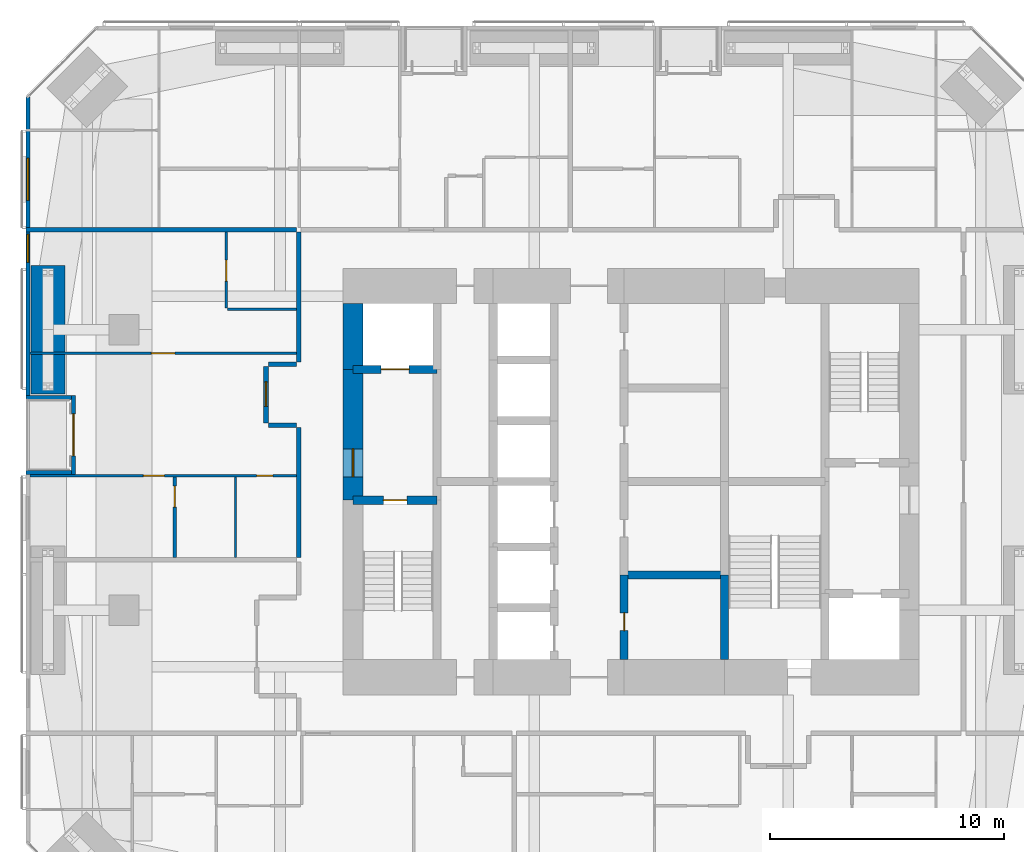
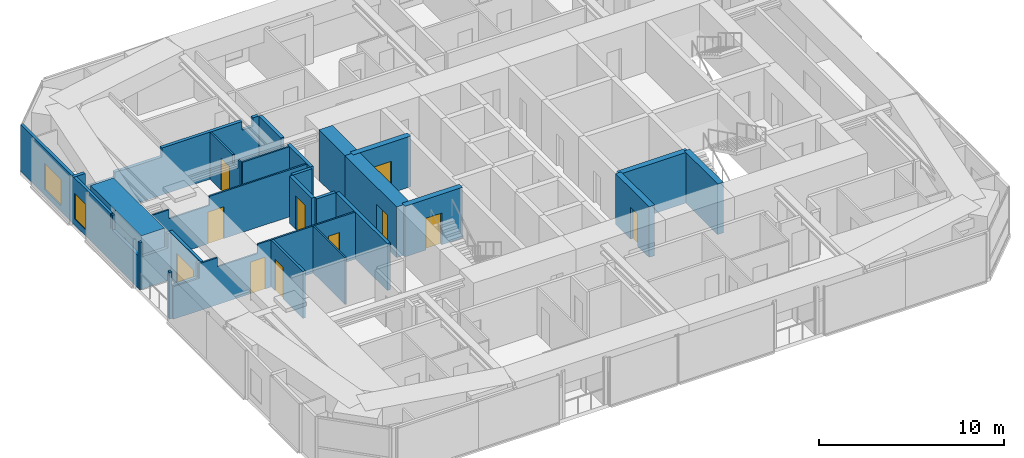
# One storey, part 19 of 24: 24 walls, 11 doors, 2 windows, 13 openings.
"""IFC4 building model written with IfcOpenShell, lengths in metres."""

from ifc_helpers import new_model, si_unit, direction, frame, frame_2d, origin, place, context, subcontext, project, spatial, polyline, rectangle, outline, extrude, material, layer, layer_set, constituent, constituent_set, type_object, element, fill, save


model = new_model("IFC4")

# Units and contexts
model_context = context("Model", 3, precision=1e-05, world=origin(), true_north=direction((0.0, 1.0)))
body_context = subcontext(model_context, "Body", "Model", "MODEL_VIEW")
ifc_project = project(units=[si_unit("LENGTHUNIT", "METRE"), si_unit("AREAUNIT", "SQUARE_METRE"), si_unit("VOLUMEUNIT", "CUBIC_METRE"), si_unit("PLANEANGLEUNIT", "RADIAN"), si_unit("MASSUNIT", "GRAM", prefix="KILO")], contexts=[model_context])

# Site, building, storey
site_placement = place(None, origin())
site = spatial("IfcSite", under=ifc_project, at=site_placement, CompositionType="ELEMENT")
building_placement = place(site_placement, origin())
building = spatial("IfcBuilding", under=site, at=building_placement, Name="Jalousie Tower", CompositionType="ELEMENT")
storey_placement = place(building_placement, frame((0.0, 0.0, 128.300048828125)))
storey = spatial("IfcBuildingStorey", under=building, at=storey_placement, Name="L35", CompositionType="ELEMENT", Elevation=128.300048828125)

# Wall, opening, door
ifc_material_1 = material(Name="Concrete block ASTM C90", Category="concrete")
ifc_constituent_1 = constituent(ifc_material_1, Name="Body")
ifc_material_2 = material(Name="Render")
ifc_constituent_2 = constituent(ifc_material_2, Name="Finish")
ifc_constituent_set_1 = constituent_set(constituents=[ifc_constituent_1, ifc_constituent_2])
wall_type_1 = type_object("IfcWallType", Name="BATHROOM WALL 150", PredefinedType="PLUMBINGWALL", material=ifc_constituent_set_1)
wall_1_placement = place(storey_placement, frame((12.375, 15.25, 0.0), z_axis=(0.0, 0.0, 1.0), x_axis=(0.0, 1.0, 0.0)))
wall_1 = element("IfcWall", 1, at=wall_1_placement, inside=storey, type_object=wall_type_1, Name="Bathroom Wall 150 L35", PredefinedType="PLUMBINGWALL", context=body_context, shape_type="SweptSolid", body=[
    extrude(rectangle(XDim=3.449951171875, YDim=0.14990234375, at=frame_2d((1.72509765625, 0.0))), origin(), (0.0, 0.0, 1.0), 3.10986328125),
])
opening_1_placement = place(wall_1_placement, frame((2.14990234375, 0.0, 0.0)))
opening_1 = element("IfcOpeningElement", 2, at=opening_1_placement, cuts=wall_1, Name="Opening D3", PredefinedType="OPENING", context=body_context, shape_type="SweptSolid", body=[
    extrude(rectangle(XDim=0.89990234375, YDim=2.10009765625, at=frame_2d((0.449951171875, 1.050048828125))), frame((0.0, 0.0849609375, 0.0), z_axis=(0.0, -1.0, 0.0), x_axis=(1.0, 0.0, 0.0)), (0.0, 0.0, 1.0), 0.169921875),
])
ifc_material_3 = material(Name="Timber door", Category="wood")
door_type_1 = type_object("IfcDoorType", Name="BATHROOM DOOR 900", OperationType="SINGLE_SWING_LEFT", PredefinedType="DOOR", material=ifc_material_3)
door_1_placement = place(opening_1_placement, frame((0.89990234375, 0.0, 0.0), z_axis=(0.0, 0.0, 1.0), x_axis=(-1.0, 0.0, 0.0)))
door_1 = element("IfcDoor", 3, at=door_1_placement, inside=storey, type_object=door_type_1, Name="Apartment 3505 bedroom 1 bathroom door", OperationType="SINGLE_SWING_LEFT", OverallHeight=2.10009765625, OverallWidth=0.89990234375, PredefinedType="DOOR", context=body_context, shape_type="SweptSolid", body=[
    extrude(rectangle(XDim=0.89990234375, YDim=2.10009765625, at=frame_2d((0.449951171875, 1.050048828125))), frame((0.0, 0.02490234375, 0.0), z_axis=(0.0, -1.0, 0.0), x_axis=(1.0, 0.0, 0.0)), (0.0, 0.0, 1.0), 0.050048828125),
])
fill(opening_1, door_1)

ifc_material_4 = material(Name="Concrete f'c 120 MPa", Category="concrete")
ifc_layer_1 = layer(ifc_material_4, 0.35009765625)
ifc_layer_set_1 = layer_set([ifc_layer_1], Name="Concrete f'c 120 MPa")
wall_type_2 = type_object("IfcWallType", Name="CORE WALL 350", PredefinedType="SHEAR", material=ifc_layer_set_1)
wall_2_placement = place(storey_placement, frame((31.60009765625, 10.875, 0.0), z_axis=(0.0, 0.0, 1.0), x_axis=(0.0, 1.0, 0.0)))
wall_2 = element("IfcWall", 4, at=wall_2_placement, inside=storey, type_object=wall_type_2, Name="Core wall X31.6A L35", PredefinedType="SHEAR", context=body_context, shape_type="SweptSolid", body=[
    extrude(rectangle(XDim=3.625, YDim=0.35009765625, at=frame_2d((1.8125, 0.0))), origin(), (0.0, 0.0, 1.0), 3.349853515625),
])
opening_2_placement = place(wall_2_placement, frame((1.25, 0.0, 0.0)))
opening_2 = element("IfcOpeningElement", 5, at=opening_2_placement, cuts=wall_2, Name="Opening D16", PredefinedType="OPENING", context=body_context, shape_type="SweptSolid", body=[
    extrude(rectangle(XDim=0.75, YDim=2.10009765625, at=frame_2d((0.375, 1.050048828125))), frame((0.0, 0.18505859375, 0.0), z_axis=(0.0, -1.0, 0.0), x_axis=(1.0, 0.0, 0.0)), (0.0, 0.0, 1.0), 0.3701171875),
])
ifc_material_5 = material(Name="Steel fire door", Category="steel")
door_type_2 = type_object("IfcDoorType", Name="RISER DOOR 750", OperationType="SINGLE_SWING_LEFT", PredefinedType="DOOR", material=ifc_material_5)
door_2_placement = place(opening_2_placement, frame((0.75, 0.0, 0.0), z_axis=(0.0, 0.0, 1.0), x_axis=(-1.0, 0.0, 0.0)))
door_2 = element("IfcDoor", 6, at=door_2_placement, inside=storey, type_object=door_type_2, Name="Refuse Room door", OperationType="SINGLE_SWING_RIGHT", OverallHeight=2.10009765625, OverallWidth=0.75, PredefinedType="DOOR", context=body_context, shape_type="SweptSolid", body=[
    extrude(rectangle(XDim=0.75, YDim=2.10009765625, at=frame_2d((0.375, 1.050048828125))), frame((0.0, 0.02490234375, 0.0), z_axis=(0.0, -1.0, 0.0), x_axis=(1.0, 0.0, 0.0)), (0.0, 0.0, 1.0), 0.050048828125),
])
fill(opening_2, door_2)

# Wall
wall_3_placement = place(storey_placement, frame((35.89990234375, 10.875, 0.0), z_axis=(0.0, 0.0, 1.0), x_axis=(0.0, 1.0, 0.0)))
element("IfcWall", 7, at=wall_3_placement, inside=storey, type_object=wall_type_2, Name="Core wall X35.9A L35", PredefinedType="SHEAR", context=body_context, shape_type="SweptSolid", body=[
    extrude(rectangle(XDim=3.625, YDim=0.35009765625, at=frame_2d((1.8125, 0.0))), origin(), (0.0, 0.0, 1.0), 3.349853515625),
])

# Wall, opening, door
wall_4_placement = place(storey_placement, frame((20.0, 17.699951171875, 0.0), z_axis=(0.0, 0.0, 1.0), x_axis=(1.0, 0.0, 0.0)))
wall_4 = element("IfcWall", 8, at=wall_4_placement, inside=storey, type_object=wall_type_2, Name="Core wall Y20-17.7 L35", PredefinedType="SHEAR", context=body_context, shape_type="SweptSolid", body=[
    extrude(rectangle(XDim=3.60009765625, YDim=0.35009765625, at=frame_2d((1.800048828125, 0.0))), origin(), (0.0, 0.0, 1.0), 3.349853515625),
])
opening_3_placement = place(wall_4_placement, frame((1.300048828125, 0.0, 0.0)))
opening_3 = element("IfcOpeningElement", 9, at=opening_3_placement, cuts=wall_4, Name="Opening D10", PredefinedType="OPENING", context=body_context, shape_type="SweptSolid", body=[
    extrude(rectangle(XDim=1.0, YDim=2.10009765625, at=frame_2d((0.5, 1.050048828125))), frame((0.0, 0.18505859375, 0.0), z_axis=(0.0, -1.0, 0.0), x_axis=(1.0, 0.0, 0.0)), (0.0, 0.0, 1.0), 0.3701171875),
])
ifc_material_6 = material(Name="Steel fire door", Category="steel")
door_type_3 = type_object("IfcDoorType", Name="STAIR DOOR 1000", OperationType="SINGLE_SWING_LEFT", PredefinedType="DOOR", material=ifc_material_6)
door_3_placement = place(opening_3_placement, frame((1.0, 0.0, 0.0), z_axis=(0.0, 0.0, 1.0), x_axis=(-1.0, 0.0, 0.0)))
door_3 = element("IfcDoor", 10, at=door_3_placement, inside=storey, type_object=door_type_3, Name="Exit stair A door", OperationType="SINGLE_SWING_RIGHT", OverallHeight=2.10009765625, OverallWidth=1.0, PredefinedType="DOOR", context=body_context, shape_type="SweptSolid", body=[
    extrude(rectangle(XDim=1.0, YDim=2.10009765625, at=frame_2d((0.5, 1.050048828125))), frame((0.0, 0.02490234375, 0.0), z_axis=(0.0, -1.0, 0.0), x_axis=(1.0, 0.0, 0.0)), (0.0, 0.0, 1.0), 0.050048828125),
])
fill(opening_3, door_3)

wall_5_placement = place(storey_placement, frame((20.0, 23.300048828125, 0.0), z_axis=(0.0, 0.0, 1.0), x_axis=(1.0, 0.0, 0.0)))
wall_5 = element("IfcWall", 11, at=wall_5_placement, inside=storey, type_object=wall_type_2, Name="Core wall Y20-23.3 L35", PredefinedType="SHEAR", context=body_context, shape_type="SweptSolid", body=[
    extrude(rectangle(XDim=3.60009765625, YDim=0.35009765625, at=frame_2d((1.800048828125, 0.0))), origin(), (0.0, 0.0, 1.0), 3.349853515625),
])
opening_4_placement = place(wall_5_placement, frame((1.199951171875, 0.0, 0.0)))
opening_4 = element("IfcOpeningElement", 12, at=opening_4_placement, cuts=wall_5, Name="Opening LD2", PredefinedType="OPENING", context=body_context, shape_type="SweptSolid", body=[
    extrude(rectangle(XDim=1.199951171875, YDim=2.10009765625, at=frame_2d((0.60009765625, 1.050048828125))), frame((0.0, 0.18505859375, 0.0), z_axis=(0.0, -1.0, 0.0), x_axis=(1.0, 0.0, 0.0)), (0.0, 0.0, 1.0), 0.3701171875),
])
ifc_material_7 = material(Name="Steel lift landing door", Category="steel")
door_type_4 = type_object("IfcDoorType", Name="LIFT LANDING DOOR 1200", OperationType="SLIDING_TO_LEFT", PredefinedType="DOOR", material=ifc_material_7)
door_4_placement = place(opening_4_placement, origin())
door_4 = element("IfcDoor", 13, at=door_4_placement, inside=storey, type_object=door_type_4, Name="Lift F1 landing door", OperationType="SLIDING_TO_LEFT", OverallHeight=2.10009765625, OverallWidth=1.199951171875, PredefinedType="DOOR", context=body_context, shape_type="SweptSolid", body=[
    extrude(rectangle(XDim=1.199951171875, YDim=2.10009765625, at=frame_2d((0.60009765625, 1.050048828125))), frame((0.0, 0.02490234375, 0.0), z_axis=(0.0, -1.0, 0.0), x_axis=(1.0, 0.0, 0.0)), (0.0, 0.0, 1.0), 0.050048828125),
])
fill(opening_4, door_4)

# Walls
wall_6_placement = place(storey_placement, frame((31.60009765625, 14.5, 0.0), z_axis=(0.0, 0.0, 1.0), x_axis=(1.0, 0.0, 0.0)))
element("IfcWall", 14, at=wall_6_placement, inside=storey, type_object=wall_type_2, Name="Core wall Y31.6-14.5 L35", PredefinedType="SHEAR", context=body_context, shape_type="SweptSolid", body=[
    extrude(rectangle(XDim=4.2998046875, YDim=0.35009765625, at=frame_2d((2.14990234375, 0.0))), origin(), (0.0, 0.0, 1.0), 3.349853515625),
])
ifc_material_8 = material(Name="Concrete f'c 120 MPa", Category="concrete")
ifc_layer_2 = layer(ifc_material_8, 0.85009765625)
ifc_layer_set_2 = layer_set([ifc_layer_2], Name="Concrete f'c 120 MPa")
wall_type_3 = type_object("IfcWallType", Name="CORE WALL 850", PredefinedType="SHEAR", material=ifc_layer_set_2)
wall_7_placement = place(storey_placement, frame((20.0, 26.125, 0.0), z_axis=(0.0, 0.0, 1.0), x_axis=(0.0, -1.0, 0.0)))
element("IfcWall", 15, at=wall_7_placement, inside=storey, type_object=wall_type_3, Name="Core wall WA L35", PredefinedType="SHEAR", context=body_context, shape_type="SweptSolid", body=[
    extrude(rectangle(XDim=2.824951171875, YDim=0.85009765625, at=frame_2d((1.41259765625, 0.0))), origin(), (0.0, 0.0, 1.0), 3.349853515625),
])

# Wall, opening, door
wall_8_placement = place(storey_placement, frame((20.0, 23.300048828125, 0.0), z_axis=(0.0, 0.0, 1.0), x_axis=(0.0, -1.0, 0.0)))
wall_8 = element("IfcWall", 16, at=wall_8_placement, inside=storey, type_object=wall_type_3, Name="Core wall WB L35", PredefinedType="SHEAR", context=body_context, shape_type="SweptSolid", body=[
    extrude(rectangle(XDim=5.60009765625, YDim=0.85009765625, at=frame_2d((2.800048828125, 0.0))), origin(), (0.0, 0.0, 1.0), 3.349853515625),
])
opening_5_placement = place(wall_8_placement, frame((3.39990234375, 0.0, 0.0)))
opening_5 = element("IfcOpeningElement", 17, at=opening_5_placement, cuts=wall_8, Name="Opening D11", PredefinedType="OPENING", context=body_context, shape_type="SweptSolid", body=[
    extrude(rectangle(XDim=1.199951171875, YDim=2.199951171875, at=frame_2d((0.60009765625, 1.10009765625))), frame((0.0, 0.43505859375, 0.0), z_axis=(0.0, -1.0, 0.0), x_axis=(1.0, 0.0, 0.0)), (0.0, 0.0, 1.0), 0.8701171875),
])
ifc_material_9 = material(Name="Steel fire door", Category="steel")
door_type_5 = type_object("IfcDoorType", Name="FIRE DOOR 1200", OperationType="SINGLE_SWING_LEFT", PredefinedType="DOOR", material=ifc_material_9)
door_5_placement = place(opening_5_placement, origin())
door_5 = element("IfcDoor", 18, at=door_5_placement, inside=storey, type_object=door_type_5, Name="Fire-fighting lobby A door", OperationType="SINGLE_SWING_RIGHT", OverallHeight=2.199951171875, OverallWidth=1.199951171875, PredefinedType="DOOR", context=body_context, shape_type="SweptSolid", body=[
    extrude(rectangle(XDim=1.199951171875, YDim=2.199951171875, at=frame_2d((0.60009765625, 1.10009765625))), frame((0.0, 0.02490234375, 0.0), z_axis=(0.0, -1.0, 0.0), x_axis=(1.0, 0.0, 0.0)), (0.0, 0.0, 1.0), 0.050048828125),
])
fill(opening_5, door_5)

# Walls
ifc_material_10 = material(Name="Concrete block ASTM C90", Category="concrete")
ifc_constituent_3 = constituent(ifc_material_10, Name="Body")
ifc_material_11 = material(Name="Render")
ifc_constituent_4 = constituent(ifc_material_11, Name="Finish")
ifc_constituent_set_2 = constituent_set(constituents=[ifc_constituent_3, ifc_constituent_4])
wall_type_4 = type_object("IfcWallType", Name="CORRIDOR WALL 200", PredefinedType="PARTITIONING", material=ifc_constituent_set_2)
wall_9_placement = place(storey_placement, frame((17.675048828125, 15.25, 0.0), z_axis=(0.0, 0.0, 1.0), x_axis=(0.0, 1.0, 0.0)))
element("IfcWall", 19, at=wall_9_placement, inside=storey, type_object=wall_type_4, Name="Corridor Wall 200 L35", PredefinedType="PARTITIONING", context=body_context, shape_type="SweptSolid", body=[
    extrude(rectangle(XDim=5.5625, YDim=0.199951171875, at=frame_2d((2.78125, 0.0))), origin(), (0.0, 0.0, 1.0), 3.10986328125),
])
wall_10_placement = place(storey_placement, frame((17.675048828125, 23.612548828125, 0.0), z_axis=(0.0, 0.0, 1.0), x_axis=(0.0, 1.0, 0.0)))
element("IfcWall", 20, at=wall_10_placement, inside=storey, type_object=wall_type_4, Name="Corridor Wall 200 L35", PredefinedType="PARTITIONING", context=body_context, shape_type="SweptSolid", body=[
    extrude(outline(polyline([(0.0, 0.0), (5.5625, 0.0), (5.5625, 3.10986328125), (3.14990234375, 3.10986328125), (3.14990234375, 2.541015625), (2.47509765625, 2.541015625), (2.47509765625, 3.10986328125), (0.0, 3.10986328125), (0.0, 0.0)])), frame((0.0, 0.10009765625, 0.0), z_axis=(0.0, -1.0, 0.0), x_axis=(1.0, 0.0, 0.0)), (0.0, 0.0, 1.0), 0.199951171875),
])

# Wall, opening, door
wall_11_placement = place(storey_placement, frame((16.27490234375, 21.012451171875, 0.0), z_axis=(0.0, 0.0, 1.0), x_axis=(0.0, 1.0, 0.0)))
wall_11 = element("IfcWall", 21, at=wall_11_placement, inside=storey, type_object=wall_type_4, Name="Corridor Wall 200 L35", PredefinedType="PARTITIONING", context=body_context, shape_type="SweptSolid", body=[
    extrude(rectangle(XDim=2.400146484375, YDim=0.199951171875, at=frame_2d((1.2001953125, 0.0))), origin(), (0.0, 0.0, 1.0), 3.10986328125),
])
opening_6_placement = place(wall_11_placement, frame((0.699951171875, 0.0, 0.0)))
opening_6 = element("IfcOpeningElement", 22, at=opening_6_placement, cuts=wall_11, Name="Opening D1", PredefinedType="OPENING", context=body_context, shape_type="SweptSolid", body=[
    extrude(rectangle(XDim=1.050048828125, YDim=2.199951171875, at=frame_2d((0.52490234375, 1.10009765625))), frame((0.0, 0.10986328125, 0.0), z_axis=(0.0, -1.0, 0.0), x_axis=(1.0, 0.0, 0.0)), (0.0, 0.0, 1.0), 0.219970703125),
])
ifc_material_12 = material(Name="Timber fire door", Category="wood")
door_type_6 = type_object("IfcDoorType", Name="APARTMENT ENTRANCE DOOR 1050", OperationType="SINGLE_SWING_LEFT", PredefinedType="DOOR", material=ifc_material_12)
door_6_placement = place(opening_6_placement, origin())
door_6 = element("IfcDoor", 23, at=door_6_placement, inside=storey, type_object=door_type_6, Name="Apartment 3505 entrance", OperationType="SINGLE_SWING_RIGHT", OverallHeight=2.199951171875, OverallWidth=1.050048828125, PredefinedType="DOOR", context=body_context, shape_type="SweptSolid", body=[
    extrude(rectangle(XDim=1.050048828125, YDim=2.199951171875, at=frame_2d((0.52490234375, 1.10009765625))), frame((0.0, 0.02490234375, 0.0), z_axis=(0.0, -1.0, 0.0), x_axis=(1.0, 0.0, 0.0)), (0.0, 0.0, 1.0), 0.050048828125),
])
fill(opening_6, door_6)

# Walls
for number, where, z_axis, x_axis, name in (
    (24, (17.574951171875, 20.91259765625, 0.0), (0.0, 0.0, 1.0), (-1.0, 0.0, 0.0), "Corridor Wall 200 L35"),
    (25, (17.574951171875, 23.512451171875, 0.0), (0.0, 0.0, 1.0), (-1.0, 0.0, 0.0), "Corridor Wall 200 L35"),
):
    element("IfcWall", number, at=place(storey_placement, frame(where, z_axis=z_axis, x_axis=x_axis)), inside=storey, type_object=wall_type_4, Name=name, PredefinedType="PARTITIONING", context=body_context, shape_type="SweptSolid", body=[
        extrude(rectangle(XDim=1.199951171875, YDim=0.199951171875, at=frame_2d((0.60009765625, 0.0))), origin(), (0.0, 0.0, 1.0), 3.10986328125),
    ])

# Wall, openings, windows
ifc_material_13 = material(Name="Concrete f'c 40 MPa", Category="concrete")
ifc_constituent_5 = constituent(ifc_material_13, Name="Body")
ifc_material_14 = material(Name="Render, pastel sea green")
ifc_constituent_6 = constituent(ifc_material_14, Name="Finish")
ifc_constituent_set_3 = constituent_set(constituents=[ifc_constituent_5, ifc_constituent_6])
wall_type_5 = type_object("IfcWallType", Name="EXTERNAL WALL 175 SEA GREEN RENDER", PredefinedType="SOLIDWALL", material=ifc_constituent_set_3)
wall_12_placement = place(storey_placement, frame((6.08740234375, 34.94873046875, 0.0), z_axis=(0.0, 0.0, 1.0), x_axis=(0.0, -1.0, 0.0)))
wall_12 = element("IfcWall", 26, at=wall_12_placement, inside=storey, type_object=wall_type_5, Name="External Wall 175 Sea Green Render L35", PredefinedType="SOLIDWALL", context=body_context, shape_type="SweptSolid", body=[
    extrude(outline(polyline([(0.0, 0.0), (12.76123046875, 0.0), (12.76123046875, 2.14990234375), (9.94873046875, 2.14990234375), (9.94873046875, 3.10986328125), (9.822998046875, 3.10986328125), (9.822998046875, 2.14990234375), (9.72998046875, 2.14990234375), (9.72998046875, 3.10986328125), (0.0, 3.10986328125), (0.0, 0.0)])), frame((0.0, 0.08740234375, 0.0), z_axis=(0.0, -1.0, 0.0), x_axis=(1.0, 0.0, 0.0)), (0.0, 0.0, 1.0), 0.175048828125),
])
opening_7_placement = place(wall_12_placement, frame((2.6181640625, 0.0, 0.39990234375)))
opening_7 = element("IfcOpeningElement", 27, at=opening_7_placement, cuts=wall_12, Name="Opening W-BED170", PredefinedType="OPENING", context=body_context, shape_type="SweptSolid", body=[
    extrude(rectangle(XDim=1.800048828125, YDim=1.699951171875, at=frame_2d((0.89990234375, 0.85009765625))), frame((0.0, 0.097412109375, 0.0), z_axis=(0.0, -1.0, 0.0), x_axis=(1.0, 0.0, 0.0)), (0.0, 0.0, 1.0), 0.195068359375),
])
opening_8_placement = place(wall_12_placement, frame((5.873779296875, 0.0, 0.39990234375)))
opening_8 = element("IfcOpeningElement", 28, at=opening_8_placement, cuts=wall_12, Name="Opening W-COR170", PredefinedType="OPENING", context=body_context, shape_type="SweptSolid", body=[
    extrude(rectangle(XDim=1.199951171875, YDim=1.699951171875, at=frame_2d((0.60009765625, 0.85009765625))), frame((0.0, 0.097412109375, 0.0), z_axis=(0.0, -1.0, 0.0), x_axis=(1.0, 0.0, 0.0)), (0.0, 0.0, 1.0), 0.195068359375),
])
ifc_material_15 = material(Name="Aluminium frame, impact-rated glazing", Category="aluminium")
window_type_1 = type_object("IfcWindowType", Name="WINDOW BED 1800x1700", PartitioningType="SINGLE_PANEL", PredefinedType="WINDOW", material=ifc_material_15)
window_1_placement = place(opening_7_placement, origin())
window_1 = element("IfcWindow", 29, at=window_1_placement, inside=storey, type_object=window_type_1, Name="Apartment 3503 bedroom 1 window", OverallHeight=1.699951171875, OverallWidth=1.800048828125, PartitioningType="SINGLE_PANEL", PredefinedType="WINDOW", context=body_context, shape_type="SweptSolid", body=[
    extrude(rectangle(XDim=1.800048828125, YDim=1.699951171875, at=frame_2d((0.89990234375, 0.85009765625))), frame((0.0, 0.030029296875, 0.0), z_axis=(0.0, -1.0, 0.0), x_axis=(1.0, 0.0, 0.0)), (0.0, 0.0, 1.0), 0.06005859375),
])
fill(opening_7, window_1)
ifc_material_16 = material(Name="Aluminium frame, impact-rated glazing", Category="aluminium")
window_type_2 = type_object("IfcWindowType", Name="WINDOW COR 1200x1700", PartitioningType="SINGLE_PANEL", PredefinedType="WINDOW", material=ifc_material_16)
window_2_placement = place(opening_8_placement, origin())
window_2 = element("IfcWindow", 30, at=window_2_placement, inside=storey, type_object=window_type_2, Name="Apartment 3505 dining room window", OverallHeight=1.699951171875, OverallWidth=1.199951171875, PartitioningType="SINGLE_PANEL", PredefinedType="WINDOW", context=body_context, shape_type="SweptSolid", body=[
    extrude(rectangle(XDim=1.199951171875, YDim=1.699951171875, at=frame_2d((0.60009765625, 0.85009765625))), frame((0.0, 0.030029296875, 0.0), z_axis=(0.0, -1.0, 0.0), x_axis=(1.0, 0.0, 0.0)), (0.0, 0.0, 1.0), 0.06005859375),
])
fill(opening_8, window_2)

# Wall, opening, door
wall_13_placement = place(storey_placement, frame((8.03759765625, 22.1875, 0.0), z_axis=(0.0, 0.0, 1.0), x_axis=(0.0, -1.0, 0.0)))
wall_13 = element("IfcWall", 31, at=wall_13_placement, inside=storey, type_object=wall_type_5, Name="External Wall 175 Sea Green Render L35", PredefinedType="SOLIDWALL", context=body_context, shape_type="SweptSolid", body=[
    extrude(rectangle(XDim=3.387451171875, YDim=0.175048828125, at=frame_2d((1.69384765625, 0.0))), origin(), (0.0, 0.0, 1.0), 3.10986328125),
])
opening_9_placement = place(wall_13_placement, frame((0.793701171875, 0.0, 0.0)))
opening_9 = element("IfcOpeningElement", 32, at=opening_9_placement, cuts=wall_13, Name="Opening D-BAL21", PredefinedType="OPENING", context=body_context, shape_type="SweptSolid", body=[
    extrude(rectangle(XDim=1.800048828125, YDim=2.10009765625, at=frame_2d((0.89990234375, 1.050048828125))), frame((0.0, 0.097412109375, 0.0), z_axis=(0.0, -1.0, 0.0), x_axis=(1.0, 0.0, 0.0)), (0.0, 0.0, 1.0), 0.195068359375),
])
ifc_material_17 = material(Name="Aluminium frame, impact-rated glazing", Category="aluminium")
door_type_7 = type_object("IfcDoorType", Name="BALCONY DOOR 1800x2100", OperationType="SLIDING_TO_LEFT", PredefinedType="DOOR", material=ifc_material_17)
door_7_placement = place(opening_9_placement, origin())
door_7 = element("IfcDoor", 33, at=door_7_placement, inside=storey, type_object=door_type_7, Name="Apartment 3505 living room loggia door", OperationType="SLIDING_TO_LEFT", OverallHeight=2.10009765625, OverallWidth=1.800048828125, PredefinedType="DOOR", context=body_context, shape_type="SweptSolid", body=[
    extrude(rectangle(XDim=1.800048828125, YDim=2.10009765625, at=frame_2d((0.89990234375, 1.050048828125))), frame((0.0, 0.02490234375, 0.0), z_axis=(0.0, -1.0, 0.0), x_axis=(1.0, 0.0, 0.0)), (0.0, 0.0, 1.0), 0.050048828125),
])
fill(opening_9, door_7)

# Walls
for number, where, z_axis, x_axis, name in (
    (34, (6.0, 22.10009765625, 0.0), (0.0, 0.0, 1.0), (1.0, 0.0, 0.0), "External Wall 175 Sea Green Render L35"),
    (35, (6.0, 18.887451171875, 0.0), (0.0, 0.0, 1.0), (1.0, 0.0, 0.0), "External Wall 175 Sea Green Render L35"),
):
    element("IfcWall", number, at=place(storey_placement, frame(where, z_axis=z_axis, x_axis=x_axis)), inside=storey, type_object=wall_type_5, Name=name, PredefinedType="SOLIDWALL", context=body_context, shape_type="SweptSolid", body=[
        extrude(outline(polyline([(0.0, 0.0), (1.949951171875, 0.0), (1.949951171875, 3.10986328125), (1.75, 3.10986328125), (1.75, 2.14990234375), (0.14990234375, 2.14990234375), (0.14990234375, 3.10986328125), (0.0, 3.10986328125), (0.0, 0.0)])), frame((0.0, 0.08740234375, 0.0), z_axis=(0.0, -1.0, 0.0), x_axis=(1.0, 0.0, 0.0)), (0.0, 0.0, 1.0), 0.175048828125),
    ])

# Wall, openings, doors
ifc_material_18 = material(Name="Gypsum board", Category="gypsum")
ifc_constituent_7 = constituent(ifc_material_18, Name="Body")
ifc_material_19 = material(Name="Light-gauge steel studs ASTM A653 SS Grade 33", Category="steel")
ifc_constituent_8 = constituent(ifc_material_19, Name="Framing")
ifc_constituent_set_4 = constituent_set(constituents=[ifc_constituent_7, ifc_constituent_8])
wall_type_6 = type_object("IfcWallType", Name="PARTITION 100", PredefinedType="PARTITIONING", material=ifc_constituent_set_4)
wall_14_placement = place(storey_placement, frame((6.175048828125, 18.75, 0.0), z_axis=(0.0, 0.0, 1.0), x_axis=(1.0, 0.0, 0.0)))
wall_14 = element("IfcWall", 36, at=wall_14_placement, inside=storey, type_object=wall_type_6, Name="Partition 100 L35", PredefinedType="PARTITIONING", context=body_context, shape_type="SweptSolid", body=[
    extrude(outline(polyline([(0.0, 0.0), (11.39990234375, 0.0), (11.39990234375, 3.10986328125), (5.284912109375, 3.10986328125), (5.284912109375, 2.510009765625), (2.764892578125, 2.510009765625), (2.764892578125, 3.10986328125), (1.635009765625, 3.10986328125), (1.635009765625, 2.14990234375), (0.0, 2.14990234375), (0.0, 3.10986328125), (0.0, 0.0)])), frame((0.0, 0.050048828125, 0.0), z_axis=(0.0, -1.0, 0.0), x_axis=(1.0, 0.0, 0.0)), (0.0, 0.0, 1.0), 0.10009765625),
])
opening_10_placement = place(wall_14_placement, frame((4.85009765625, 0.0, 0.0)))
opening_10 = element("IfcOpeningElement", 37, at=opening_10_placement, cuts=wall_14, Name="Opening D2", PredefinedType="OPENING", context=body_context, shape_type="SweptSolid", body=[
    extrude(rectangle(XDim=0.89990234375, YDim=2.10009765625, at=frame_2d((0.449951171875, 1.050048828125))), frame((0.0, 0.06005859375, 0.0), z_axis=(0.0, -1.0, 0.0), x_axis=(1.0, 0.0, 0.0)), (0.0, 0.0, 1.0), 0.1201171875),
])
opening_11_placement = place(wall_14_placement, frame((9.699951171875, 0.0, 0.0)))
opening_11 = element("IfcOpeningElement", 38, at=opening_11_placement, cuts=wall_14, Name="Opening D4", PredefinedType="OPENING", context=body_context, shape_type="SweptSolid", body=[
    extrude(rectangle(XDim=0.699951171875, YDim=2.10009765625, at=frame_2d((0.35009765625, 1.050048828125))), frame((0.0, 0.06005859375, 0.0), z_axis=(0.0, -1.0, 0.0), x_axis=(1.0, 0.0, 0.0)), (0.0, 0.0, 1.0), 0.1201171875),
])
ifc_material_20 = material(Name="Timber door", Category="wood")
door_type_8 = type_object("IfcDoorType", Name="BEDROOM DOOR 900", OperationType="SINGLE_SWING_LEFT", PredefinedType="DOOR", material=ifc_material_20)
door_8_placement = place(opening_10_placement, frame((0.89990234375, 0.0, 0.0), z_axis=(0.0, 0.0, 1.0), x_axis=(-1.0, 0.0, 0.0)))
door_8 = element("IfcDoor", 39, at=door_8_placement, inside=storey, type_object=door_type_8, Name="Apartment 3505 bedroom 1 door", OperationType="SINGLE_SWING_LEFT", OverallHeight=2.10009765625, OverallWidth=0.89990234375, PredefinedType="DOOR", context=body_context, shape_type="SweptSolid", body=[
    extrude(rectangle(XDim=0.89990234375, YDim=2.10009765625, at=frame_2d((0.449951171875, 1.050048828125))), frame((0.0, 0.02490234375, 0.0), z_axis=(0.0, -1.0, 0.0), x_axis=(1.0, 0.0, 0.0)), (0.0, 0.0, 1.0), 0.050048828125),
])
fill(opening_10, door_8)
ifc_material_21 = material(Name="Timber door", Category="wood")
door_type_9 = type_object("IfcDoorType", Name="STORE DOOR 700", OperationType="SINGLE_SWING_LEFT", PredefinedType="DOOR", material=ifc_material_21)
door_9_placement = place(opening_11_placement, frame((0.699951171875, 0.0, 0.0), z_axis=(0.0, 0.0, 1.0), x_axis=(-1.0, 0.0, 0.0)))
door_9 = element("IfcDoor", 40, at=door_9_placement, inside=storey, type_object=door_type_9, Name="Apartment 3505 store door", OperationType="SINGLE_SWING_RIGHT", OverallHeight=2.10009765625, OverallWidth=0.699951171875, PredefinedType="DOOR", context=body_context, shape_type="SweptSolid", body=[
    extrude(rectangle(XDim=0.699951171875, YDim=2.10009765625, at=frame_2d((0.35009765625, 1.050048828125))), frame((0.0, 0.02490234375, 0.0), z_axis=(0.0, -1.0, 0.0), x_axis=(1.0, 0.0, 0.0)), (0.0, 0.0, 1.0), 0.050048828125),
])
fill(opening_11, door_9)

# Wall
wall_15_placement = place(storey_placement, frame((14.97509765625, 15.25, 0.0), z_axis=(0.0, 0.0, 1.0), x_axis=(0.0, 1.0, 0.0)))
element("IfcWall", 41, at=wall_15_placement, inside=storey, type_object=wall_type_6, Name="Partition 100 L35", PredefinedType="PARTITIONING", context=body_context, shape_type="SweptSolid", body=[
    extrude(rectangle(XDim=3.449951171875, YDim=0.10009765625, at=frame_2d((1.72509765625, 0.0))), origin(), (0.0, 0.0, 1.0), 3.10986328125),
])

# Wall, opening, door
wall_16_placement = place(storey_placement, frame((14.574951171875, 25.925048828125, 0.0), z_axis=(0.0, 0.0, 1.0), x_axis=(0.0, 1.0, 0.0)))
wall_16 = element("IfcWall", 42, at=wall_16_placement, inside=storey, type_object=wall_type_6, Name="Partition 100 L35", PredefinedType="PARTITIONING", context=body_context, shape_type="SweptSolid", body=[
    extrude(outline(polyline([(0.0, 0.0), (3.25, 0.0), (3.25, 3.10986328125), (0.787353515625, 3.10986328125), (0.787353515625, 2.541015625), (0.212646484375, 2.541015625), (0.212646484375, 3.10986328125), (0.0, 3.10986328125), (0.0, 0.0)])), frame((0.0, 0.050048828125, 0.0), z_axis=(0.0, -1.0, 0.0), x_axis=(1.0, 0.0, 0.0)), (0.0, 0.0, 1.0), 0.10009765625),
])
opening_12_placement = place(wall_16_placement, frame((1.14990234375, 0.0, 0.0)))
opening_12 = element("IfcOpeningElement", 43, at=opening_12_placement, cuts=wall_16, Name="Opening D7", PredefinedType="OPENING", context=body_context, shape_type="SweptSolid", body=[
    extrude(rectangle(XDim=0.89990234375, YDim=2.10009765625, at=frame_2d((0.449951171875, 1.050048828125))), frame((0.0, 0.06005859375, 0.0), z_axis=(0.0, -1.0, 0.0), x_axis=(1.0, 0.0, 0.0)), (0.0, 0.0, 1.0), 0.1201171875),
])
ifc_material_22 = material(Name="Timber door", Category="wood")
door_type_10 = type_object("IfcDoorType", Name="INTERNAL DOOR 900", OperationType="SINGLE_SWING_LEFT", PredefinedType="DOOR", material=ifc_material_22)
door_10_placement = place(opening_12_placement, origin())
door_10 = element("IfcDoor", 44, at=door_10_placement, inside=storey, type_object=door_type_10, Name="Apartment 3505 kitchen door", OperationType="SINGLE_SWING_RIGHT", OverallHeight=2.10009765625, OverallWidth=0.89990234375, PredefinedType="DOOR", context=body_context, shape_type="SweptSolid", body=[
    extrude(rectangle(XDim=0.89990234375, YDim=2.10009765625, at=frame_2d((0.449951171875, 1.050048828125))), frame((0.0, 0.02490234375, 0.0), z_axis=(0.0, -1.0, 0.0), x_axis=(1.0, 0.0, 0.0)), (0.0, 0.0, 1.0), 0.050048828125),
])
fill(opening_12, door_10)

# Wall
wall_17_placement = place(storey_placement, frame((14.625, 25.875, 0.0), z_axis=(0.0, 0.0, 1.0), x_axis=(1.0, 0.0, 0.0)))
element("IfcWall", 45, at=wall_17_placement, inside=storey, type_object=wall_type_6, Name="Partition 100 L35", PredefinedType="PARTITIONING", context=body_context, shape_type="SweptSolid", body=[
    extrude(rectangle(XDim=2.949951171875, YDim=0.10009765625, at=frame_2d((1.47509765625, 0.0))), origin(), (0.0, 0.0, 1.0), 3.10986328125),
])

# Wall, opening, door
wall_18_placement = place(storey_placement, frame((6.175048828125, 23.987548828125, 0.0), z_axis=(0.0, 0.0, 1.0), x_axis=(1.0, 0.0, 0.0)))
wall_18 = element("IfcWall", 46, at=wall_18_placement, inside=storey, type_object=wall_type_6, Name="Partition 100 L35", PredefinedType="PARTITIONING", context=body_context, shape_type="SweptSolid", body=[
    extrude(outline(polyline([(0.52880859375, 2.14990234375), (0.0, 2.14990234375), (0.0, 0.0), (0.52880859375, 0.0), (0.52880859375, 0.777587890625), (1.021240234375, 0.777587890625), (1.021240234375, 0.0), (11.39990234375, 0.0), (11.39990234375, 3.10986328125), (5.284912109375, 3.10986328125), (5.284912109375, 2.510009765625), (2.764892578125, 2.510009765625), (2.764892578125, 3.10986328125), (1.635009765625, 3.10986328125), (1.635009765625, 2.14990234375), (1.021240234375, 2.14990234375), (1.021240234375, 1.372314453125), (0.52880859375, 1.372314453125), (0.52880859375, 2.14990234375)])), frame((0.0, 0.050048828125, 0.0), z_axis=(0.0, -1.0, 0.0), x_axis=(1.0, 0.0, 0.0)), (0.0, 0.0, 1.0), 0.10009765625),
])
opening_13_placement = place(wall_18_placement, frame((5.199951171875, 0.0, 0.0)))
opening_13 = element("IfcOpeningElement", 47, at=opening_13_placement, cuts=wall_18, Name="Opening D6", PredefinedType="OPENING", context=body_context, shape_type="SweptSolid", body=[
    extrude(rectangle(XDim=1.0, YDim=2.10009765625, at=frame_2d((0.5, 1.050048828125))), frame((0.0, 0.06005859375, 0.0), z_axis=(0.0, -1.0, 0.0), x_axis=(1.0, 0.0, 0.0)), (0.0, 0.0, 1.0), 0.1201171875),
])
ifc_material_23 = material(Name="Timber door", Category="wood")
door_type_11 = type_object("IfcDoorType", Name="INTERNAL DOOR 1000", OperationType="SINGLE_SWING_LEFT", PredefinedType="DOOR", material=ifc_material_23)
door_11_placement = place(opening_13_placement, origin())
door_11 = element("IfcDoor", 48, at=door_11_placement, inside=storey, type_object=door_type_11, Name="Apartment 3505 dining room door", OperationType="SINGLE_SWING_RIGHT", OverallHeight=2.10009765625, OverallWidth=1.0, PredefinedType="DOOR", context=body_context, shape_type="SweptSolid", body=[
    extrude(rectangle(XDim=1.0, YDim=2.10009765625, at=frame_2d((0.5, 1.050048828125))), frame((0.0, 0.02490234375, 0.0), z_axis=(0.0, -1.0, 0.0), x_axis=(1.0, 0.0, 0.0)), (0.0, 0.0, 1.0), 0.050048828125),
])
fill(opening_13, door_11)

# Walls
ifc_material_24 = material(Name="Concrete block ASTM C90", Category="concrete")
ifc_constituent_9 = constituent(ifc_material_24, Name="Body")
ifc_material_25 = material(Name="Render")
ifc_constituent_10 = constituent(ifc_material_25, Name="Finish")
ifc_constituent_set_5 = constituent_set(constituents=[ifc_constituent_9, ifc_constituent_10])
wall_type_7 = type_object("IfcWallType", Name="PARTY WALL 200", PredefinedType="PARTITIONING", material=ifc_constituent_set_5)
wall_19_placement = place(storey_placement, frame((6.0, 29.27490234375, 0.0), z_axis=(0.0, 0.0, 1.0), x_axis=(1.0, 0.0, 0.0)))
element("IfcWall", 49, at=wall_19_placement, inside=storey, type_object=wall_type_7, Name="Party Wall 200 L35", PredefinedType="PARTITIONING", context=body_context, shape_type="SweptSolid", body=[
    extrude(outline(polyline([(0.0, 0.0), (11.574951171875, 0.0), (11.574951171875, 3.10986328125), (11.21240234375, 3.10986328125), (11.21240234375, 2.541015625), (10.53759765625, 2.541015625), (10.53759765625, 3.10986328125), (5.510009765625, 3.10986328125), (5.510009765625, 2.510009765625), (2.96875, 2.510009765625), (2.96875, 2.541015625), (2.565185546875, 2.541015625), (2.565185546875, 2.14990234375), (0.721435546875, 2.14990234375), (0.721435546875, 3.10986328125), (0.0, 3.10986328125), (0.0, 0.0)])), frame((0.0, 0.10009765625, 0.0), z_axis=(0.0, -1.0, 0.0), x_axis=(1.0, 0.0, 0.0)), (0.0, 0.0, 1.0), 0.199951171875),
])
ifc_material_26 = material(Name="Concrete f'c 120 MPa", Category="concrete")
ifc_layer_3 = layer(ifc_material_26, 1.449951171875)
ifc_layer_set_3 = layer_set([ifc_layer_3], Name="Concrete f'c 120 MPa")
wall_type_8 = type_object("IfcWallType", Name="RC WALL PIER 1450", PredefinedType="SHEAR", material=ifc_layer_set_3)
wall_20_placement = place(storey_placement, frame((6.949951171875, 22.25, 0.0), z_axis=(0.0, 0.0, 1.0), x_axis=(0.0, 1.0, 0.0)))
element("IfcWall", 50, at=wall_20_placement, inside=storey, type_object=wall_type_8, Name="Wall pier 13 L35", PredefinedType="SHEAR", context=body_context, shape_type="SweptSolid", body=[
    extrude(rectangle(XDim=5.5, YDim=1.449951171875, at=frame_2d((2.75, 0.0))), origin(), (0.0, 0.0, 1.0), 3.349853515625),
])

save(model, "model.ifc")
